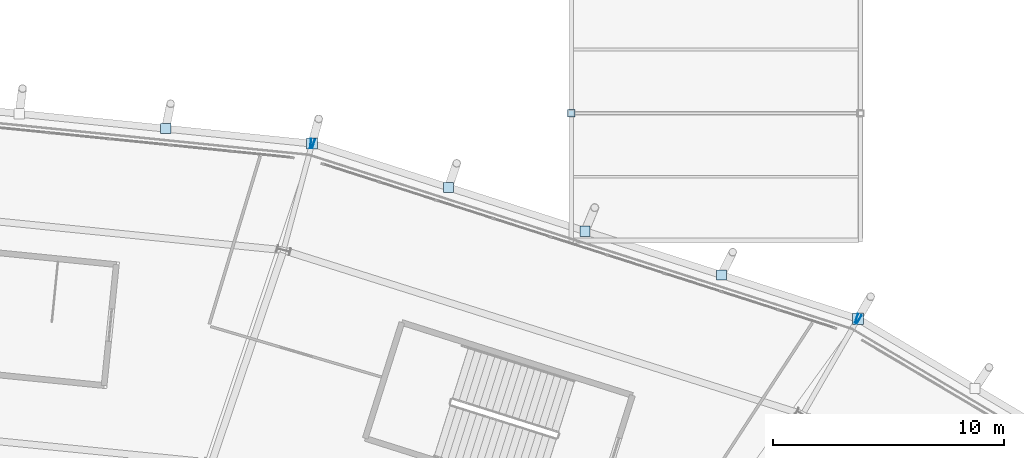
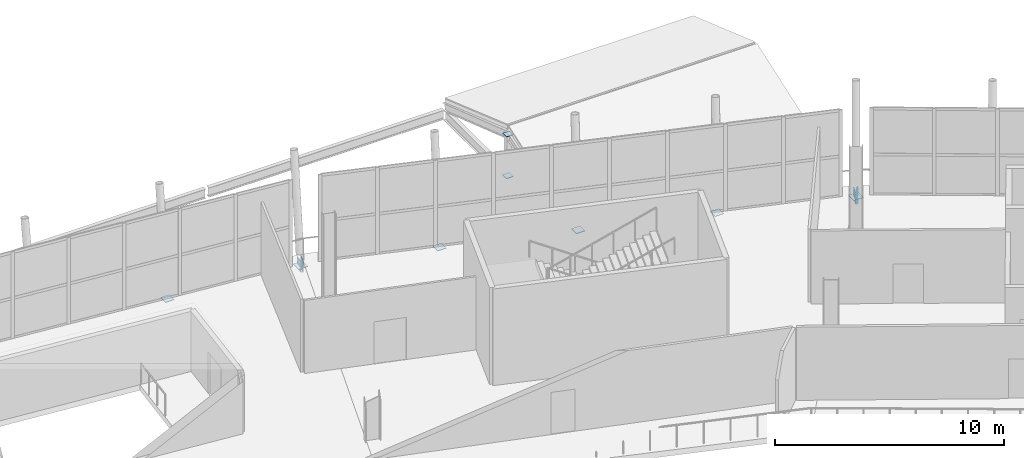
# One storey, part 92 of 126: 12 plates.
"""IFC4 building model written with IfcOpenShell, lengths in metres."""

from ifc_helpers import new_model, si_unit, direction, frame, origin, origin_2d, place, context, subcontext, project, spatial, rectangle, extrude, material, layer, layer_set, type_object, element, save


model = new_model("IFC4")

# Units and contexts
model_context = context("Model", 3, precision=1e-05, world=origin(), true_north=direction((0.0, 1.0)))
body_context = subcontext(model_context, "Body", "Model", "MODEL_VIEW")
ifc_project = project(units=[si_unit("LENGTHUNIT", "METRE"), si_unit("AREAUNIT", "SQUARE_METRE"), si_unit("VOLUMEUNIT", "CUBIC_METRE"), si_unit("PLANEANGLEUNIT", "RADIAN"), si_unit("MASSUNIT", "GRAM", prefix="KILO")], contexts=[model_context])

# Site, building, storey
site_placement = place(None, origin())
site = spatial("IfcSite", under=ifc_project, at=site_placement, CompositionType="ELEMENT")
building_placement = place(site_placement, origin())
building = spatial("IfcBuilding", under=site, at=building_placement, Name="Zlatoyarsky Gate Stadium", CompositionType="ELEMENT")
storey_placement = place(building_placement, frame((0.0, 0.0, 20.800048828125)))
storey = spatial("IfcBuildingStorey", under=building, at=storey_placement, Name="L04", CompositionType="ELEMENT", Elevation=20.800048828125)

# Plates
ifc_material = material(Name="Steel S355", Category="steel")
ifc_layer = layer(ifc_material, 0.02392578125)
ifc_layer_set = layer_set([ifc_layer], Name="Steel S355")
plate_type = type_object("IfcPlateType", Name="STEEL HOLLOW CHORD SPLICE SHEET 24", PredefinedType="SHEET", material=ifc_layer_set)
for number, where, z_axis, x_axis, name in (
    (1, (159.936279296875, 145.587646484375, -0.85009765625), (0.0, 0.0, 1.0), (-0.859509176685, 0.511120313815, 0.0), "Hollow end cap ND-SP1 CAP-L04-SPD-03 B"),
    (2, (159.82763671875, 145.63671875, -0.85009765625), (0.0, 0.0, 1.0), (-0.952145539472, 0.305645009225, 0.0), "Hollow end cap ND-SP1 CAP-L04-SPD-04 A"),
    (3, (136.36181640625, 153.16943359375, -0.85009765625), (0.0, 0.0, 1.0), (-0.952145539472, 0.305645009225, 0.0), "Hollow end cap ND-SP1 CAP-L04-SPD-04 B"),
):
    element("IfcPlate", number, at=place(storey_placement, frame(where, z_axis=z_axis, x_axis=x_axis)), inside=storey, type_object=plate_type, Name=name, PredefinedType="SHEET", context=body_context, shape_type="SweptSolid", body=[
        extrude(rectangle(XDim=0.02392578125, YDim=0.39990234375, at=origin_2d()), origin(), (0.0, 0.0, 1.0), 0.60009765625),
    ])
plate_1_placement = place(storey_placement, frame((159.884765625, 145.618408203125, -0.612060546875), z_axis=(0.0, 0.0, 1.0), x_axis=(1.0, 0.0, 0.0)))
element("IfcPlate", 4, at=plate_1_placement, inside=storey, type_object=plate_type, Name="Node closure plate ND-SP1 NCAP-L04-RSTR-04", PredefinedType="SHEET", context=body_context, shape_type="SweptSolid", body=[
    extrude(rectangle(XDim=0.47998046875, YDim=0.47998046875, at=origin_2d()), origin(), (0.0, 0.0, 1.0), 0.02392578125),
])
plate_2_placement = place(storey_placement, frame((136.244873046875, 153.19384765625, -0.85009765625), z_axis=(0.0, 0.0, 1.0), x_axis=(-0.994835341665, 0.101501935813, 0.0)))
element("IfcPlate", 5, at=plate_2_placement, inside=storey, type_object=plate_type, Name="Hollow end cap ND-SP1 CAP-L04-SPD-05 A", PredefinedType="SHEET", context=body_context, shape_type="SweptSolid", body=[
    extrude(rectangle(XDim=0.02392578125, YDim=0.39990234375, at=origin_2d()), origin(), (0.0, 0.0, 1.0), 0.60009765625),
])
plate_3_placement = place(storey_placement, frame((136.3046875, 153.187744140625, -0.612060546875), z_axis=(0.0, 0.0, 1.0), x_axis=(1.0, 0.0, 0.0)))
element("IfcPlate", 6, at=plate_3_placement, inside=storey, type_object=plate_type, Name="Node closure plate ND-SP1 NCAP-L04-RSTR-05", PredefinedType="SHEET", context=body_context, shape_type="SweptSolid", body=[
    extrude(rectangle(XDim=0.47998046875, YDim=0.47998046875, at=origin_2d()), origin(), (0.0, 0.0, 1.0), 0.02392578125),
])
for number, where, z_axis, x_axis, name in (
    (7, (153.98974609375, 147.5107421875, -0.56201171875), (0.0, 0.0, 1.0), (1.0, 0.0, 0.0), "Node closure plate ND-SP1 NCAP-RIB-04-1-2T"),
    (8, (148.0947265625, 149.403076171875, -0.56201171875), (0.0, 0.0, 1.0), (1.0, 0.0, 0.0), "Node closure plate ND-SP1 NCAP-RIB-04-2-2T"),
    (9, (142.19970703125, 151.29541015625, -0.56201171875), (0.0, 0.0, 1.0), (1.0, 0.0, 0.0), "Node closure plate ND-SP1 NCAP-RIB-04-3-2T"),
    (10, (129.978515625, 153.833251953125, -0.56201171875), (0.0, 0.0, 1.0), (1.0, 0.0, 0.0), "Node closure plate ND-SP1 NCAP-RIB-05-1-2T"),
):
    element("IfcPlate", number, at=place(storey_placement, frame(where, z_axis=z_axis, x_axis=x_axis)), inside=storey, type_object=plate_type, Name=name, PredefinedType="SHEET", context=body_context, shape_type="SweptSolid", body=[
        extrude(rectangle(XDim=0.43994140625, YDim=0.43994140625, at=origin_2d()), origin(), (0.0, 0.0, 1.0), 0.02392578125),
    ])
for number, where, z_axis, x_axis, name in (
    (11, (147.5, 154.5, -0.56201171875), (0.0, 0.0, 1.0), (1.0, 0.0, 0.0), "Node closure plate ND-SP1 NCAP-KP-V2_NORTH_E-1A"),
    (12, (147.5, 154.5, 1.657958984375), (0.0, 0.0, 1.0), (1.0, 0.0, 0.0), "Node closure plate ND-SP1 NCAP-KP-V2_NORTH_E-1B"),
):
    element("IfcPlate", number, at=place(storey_placement, frame(where, z_axis=z_axis, x_axis=x_axis)), inside=storey, type_object=plate_type, Name=name, PredefinedType="SHEET", context=body_context, shape_type="SweptSolid", body=[
        extrude(rectangle(XDim=0.340087890625, YDim=0.340087890625, at=origin_2d()), origin(), (0.0, 0.0, 1.0), 0.02392578125),
    ])

save(model, "model.ifc")
